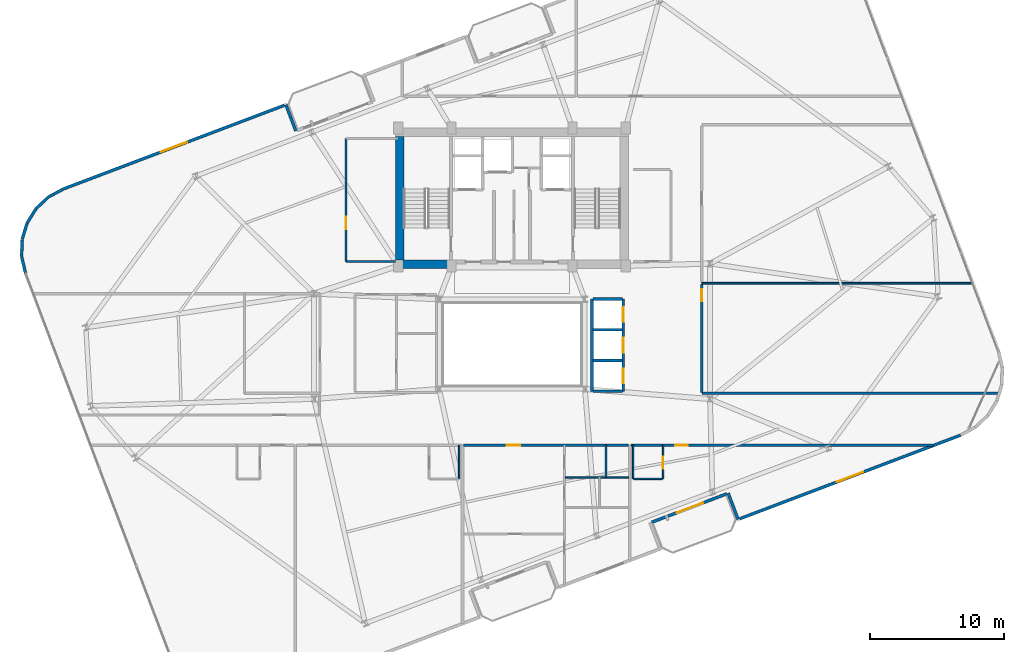
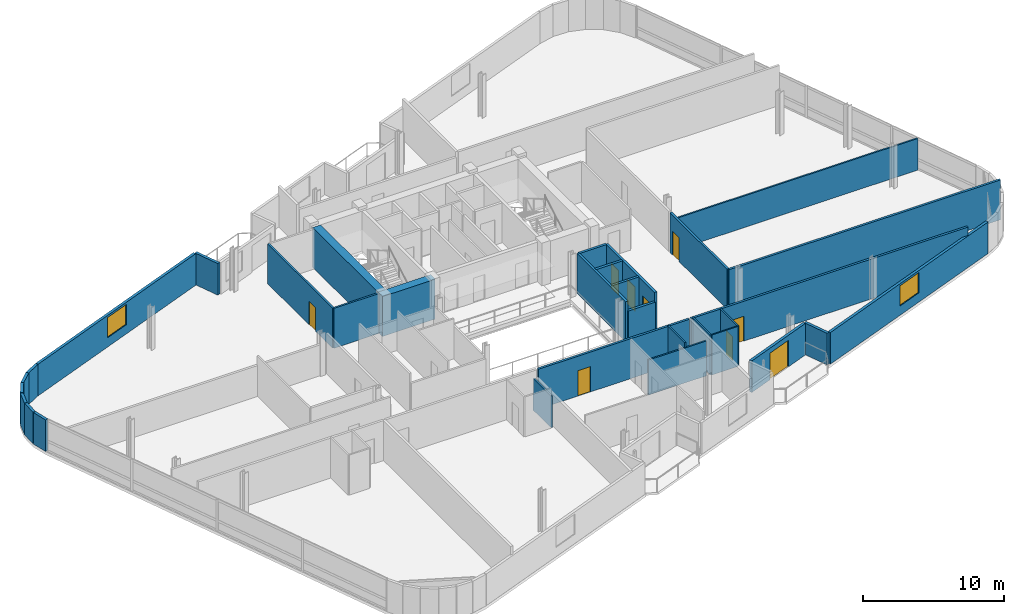
# One storey, part 19 of 23: 32 walls, 9 doors, 2 windows, 11 openings.
"""IFC4 building model written with IfcOpenShell, lengths in metres."""

import ifcopenshell
import ifcopenshell.guid

model = None  # the IFC model being written
_history = None  # IfcOwnerHistory: only IFC2X3 demands one
_inside = {}  # id of a spatial element -> (the spatial element, [elements in it])
_under = {}  # id of a project, library or spatial element -> (it, [spatial elements below it])
_declared = {}  # id of a project -> (the project, [libraries it declares])
_typed = {}  # id of a type object -> (the type object, [elements of that type])
_made_of = {}  # id of a material, layer set ... -> (it, [elements and type objects made of it])


def new_model(schema):
    """Start an empty IFC model of exactly this schema.

    Asked for "IFC4X3", IfcOpenShell would pick the latest addendum, in which some entities
    have other attributes; the version numbers below select the first issue.
    IFC2X3 requires an IfcOwnerHistory on every rooted entity: one is made here for all.
    """
    global model, _history
    if schema == "IFC4X3":
        model = ifcopenshell.file(schema_version=(4, 3, 0, 0))
    else:
        model = ifcopenshell.file(schema=schema)
    _inside.clear()
    _under.clear()
    _declared.clear()
    _typed.clear()
    _made_of.clear()
    _history = None
    if model.schema == "IFC2X3":
        org = make("IfcOrganization", Name="unknown")
        user = make(
            "IfcPersonAndOrganization",
            ThePerson=make("IfcPerson", FamilyName="unknown"),
            TheOrganization=org,
        )
        app = make(
            "IfcApplication",
            ApplicationDeveloper=org,
            Version="unknown",
            ApplicationFullName="unknown",
            ApplicationIdentifier="unknown",
        )
        _history = make(
            "IfcOwnerHistory",
            OwningUser=user,
            OwningApplication=app,
            ChangeAction="ADDED",
            CreationDate=0,
        )
    return model


def make(cls, **values):
    """One entity of the class cls with the attributes given. An attribute that is None is left unset."""
    return model.create_entity(
        cls, **{name: value for name, value in values.items() if value is not None}
    )


def rooted(cls, **values):
    """An entity with a GlobalId (a new one), such as an element, a storey or a relation."""
    return make(cls, GlobalId=ifcopenshell.guid.new(), OwnerHistory=_history, **values)


def si_unit(unit_type, name, prefix=None):
    """IfcSIUnit, for example si_unit("LENGTHUNIT", "METRE", prefix="MILLI")."""
    return make("IfcSIUnit", UnitType=unit_type, Prefix=prefix, Name=name)


def assignment(units):
    """IfcUnitAssignment: the units of a project."""
    return None if units is None else make("IfcUnitAssignment", Units=units)


def point(xyz):
    """IfcCartesianPoint."""
    return None if xyz is None else make("IfcCartesianPoint", Coordinates=xyz)


def direction(xyz):
    """IfcDirection."""
    return None if xyz is None else make("IfcDirection", DirectionRatios=xyz)


def frame(location, z_axis=None, x_axis=None):
    """IfcAxis2Placement3D, a coordinate frame: its origin and axes. An axis left out is left unset."""
    return make(
        "IfcAxis2Placement3D",
        Location=point(location),
        Axis=direction(z_axis),
        RefDirection=direction(x_axis),
    )


def frame_2d(location, x_axis=None):
    """IfcAxis2Placement2D, a coordinate frame in the plane: its origin and x axis."""
    return make(
        "IfcAxis2Placement2D", Location=point(location), RefDirection=direction(x_axis)
    )


def origin():
    """The frame at (0, 0, 0) with its axes left unset."""
    return frame((0.0, 0.0, 0.0))


def place(relative_to, where):
    """IfcLocalPlacement: puts the frame where relative to a parent placement (None: the world)."""
    return make(
        "IfcLocalPlacement", PlacementRelTo=relative_to, RelativePlacement=where
    )


def context(
    kind, dimensions, precision=None, world=None, true_north=None, identifier=None
):
    """IfcGeometricRepresentationContext, for example the 3D "Model" context."""
    return make(
        "IfcGeometricRepresentationContext",
        ContextIdentifier=identifier,
        ContextType=kind,
        CoordinateSpaceDimension=dimensions,
        Precision=precision,
        WorldCoordinateSystem=world,
        TrueNorth=true_north,
    )


def subcontext(parent, identifier, kind, view, scale=None):
    """IfcGeometricRepresentationSubContext, for example "Body" below "Model"."""
    return make(
        "IfcGeometricRepresentationSubContext",
        ContextIdentifier=identifier,
        ContextType=kind,
        ParentContext=parent,
        TargetScale=scale,
        TargetView=view,
    )


def project(units=None, contexts=None):
    """IfcProject with its units and contexts."""
    return rooted(
        "IfcProject",
        Name="project",
        RepresentationContexts=contexts,
        UnitsInContext=assignment(units),
    )


def spatial(cls, under=None, at=None, **own):
    """A site, building, storey or space (cls), placed at a placement, below another one or the project."""
    s = rooted(cls, ObjectPlacement=at, **own)
    if under is not None:
        _under.setdefault(under.id(), (under, []))[1].append(s)
    return s


def profile(cls, at=None, kind="AREA", **sizes):
    """A parametric profile (cls). Its sizes go by their IFC names, for example OverallWidth=200.0."""
    return make(cls, ProfileType=kind, Position=at, **sizes)


def rectangle(**sizes):
    """IfcRectangleProfileDef."""
    return profile("IfcRectangleProfileDef", **sizes)


def extrude(swept, where, along, depth):
    """IfcExtrudedAreaSolid: the profile swept, set in the frame where, extruded along a direction by depth."""
    return make(
        "IfcExtrudedAreaSolid",
        SweptArea=swept,
        Position=where,
        ExtrudedDirection=direction(along),
        Depth=depth,
    )


def shape(context_of_items, identifier, shape_type, items):
    """IfcShapeRepresentation: the items that make up one representation, for example the "Body"."""
    return make(
        "IfcShapeRepresentation",
        ContextOfItems=context_of_items,
        RepresentationIdentifier=identifier,
        RepresentationType=shape_type,
        Items=items,
    )


def material(Name=None, Category=None):
    """IfcMaterial."""
    return make("IfcMaterial", Name=Name, Category=Category)


def layer(
    of_material, thickness, ventilated=None, Name=None, Category=None, Priority=None
):
    """IfcMaterialLayer: one layer of a wall or slab, of a material (None: an air gap)."""
    return make(
        "IfcMaterialLayer",
        Material=of_material,
        LayerThickness=thickness,
        IsVentilated=ventilated,
        Name=Name,
        Category=Category,
        Priority=Priority,
    )


def layer_set(layers, Name=None):
    """IfcMaterialLayerSet."""
    return make("IfcMaterialLayerSet", MaterialLayers=layers, LayerSetName=Name)


def made_of(thing, what):
    """Note that an element or type object is made of a material, layer set ...; save() writes the relation."""
    if what is not None:
        _made_of.setdefault(what.id(), (what, []))[1].append(thing)
    return thing


def type_object(cls, material=None, **own):
    """A type object (cls), such as IfcWallType, which elements share."""
    return made_of(rooted(cls, **own), material)


def element(
    cls,
    number,
    at=None,
    inside=None,
    cuts=None,
    type_object=None,
    material=None,
    context=None,
    identifier="Body",
    shape_type=None,
    held_by="IfcProductDefinitionShape",
    body=None,
    shapes=None,
    **own,
):
    """One element of the class cls, such as IfcWall. Its Tag is "e" and its number.

    at: its placement. inside: the storey or other place that contains it. cuts: it is an
    opening in that element (IfcRelVoidsElement). A single representation is given by context,
    identifier, shape_type and body (its items); several are given by shapes. held_by: the class
    of the entity that holds the representations. save() writes the other relations.
    """
    e = rooted(cls, Tag="e%d" % number, ObjectPlacement=at, **own)
    if body is not None:
        shapes = [shape(context, identifier, shape_type, body)]
    if shapes is not None:
        e.Representation = make(held_by, Representations=shapes)
    if inside is not None:
        _inside.setdefault(inside.id(), (inside, []))[1].append(e)
    if cuts is not None:
        rooted(
            "IfcRelVoidsElement", RelatingBuildingElement=cuts, RelatedOpeningElement=e
        )
    if type_object is not None:
        _typed.setdefault(type_object.id(), (type_object, []))[1].append(e)
    return made_of(e, material)


def fill(opening, filler):
    """IfcRelFillsElement: the door or window that sits in an opening."""
    return rooted(
        "IfcRelFillsElement",
        RelatingOpeningElement=opening,
        RelatedBuildingElement=filler,
    )


def aggregate(whole, parts):
    """IfcRelAggregates: a whole, such as a stair, and the parts it consists of."""
    return rooted("IfcRelAggregates", RelatingObject=whole, RelatedObjects=parts)


def save(model, path):
    """Write the relations noted so far, then the file.

    IfcRelAggregates (storeys below a building ...), IfcRelContainedInSpatialStructure (elements
    in a storey), IfcRelDefinesByType, IfcRelAssociatesMaterial and IfcRelDeclares: one each for
    every whole, place, type object, material and project.
    """
    for whole, parts in _under.values():
        aggregate(whole, parts)
    for where, things in _inside.values():
        rooted(
            "IfcRelContainedInSpatialStructure",
            RelatedElements=things,
            RelatingStructure=where,
        )
    for kind, things in _typed.values():
        rooted("IfcRelDefinesByType", RelatedObjects=things, RelatingType=kind)
    for what, things in _made_of.values():
        rooted("IfcRelAssociatesMaterial", RelatedObjects=things, RelatingMaterial=what)
    for by, libraries in _declared.values():
        rooted("IfcRelDeclares", RelatingContext=by, RelatedDefinitions=libraries)
    model.write(path)


model = new_model("IFC4")

# Units and contexts
model_context = context("Model", 3, precision=1e-05, world=origin(), true_north=direction((0.0, 1.0)))
body_context = subcontext(model_context, "Body", "Model", "MODEL_VIEW")
ifc_project = project(units=[si_unit("LENGTHUNIT", "METRE"), si_unit("AREAUNIT", "SQUARE_METRE"), si_unit("VOLUMEUNIT", "CUBIC_METRE"), si_unit("PLANEANGLEUNIT", "RADIAN"), si_unit("MASSUNIT", "GRAM", prefix="KILO")], contexts=[model_context])

# Site, building, storey
site_placement = place(None, origin())
site = spatial("IfcSite", under=ifc_project, at=site_placement, CompositionType="ELEMENT")
building_placement = place(site_placement, origin())
building = spatial("IfcBuilding", under=site, at=building_placement, Name="Varnelok Gate Tower", CompositionType="ELEMENT")
storey_placement = place(building_placement, frame((0.0, 0.0, 227.5)))
storey = spatial("IfcBuildingStorey", under=building, at=storey_placement, Name="L58", CompositionType="ELEMENT", Elevation=227.5)

# Wall, opening, door
ifc_material_1 = material(Name="Concrete C45/55", Category="concrete")
ifc_layer_1 = layer(ifc_material_1, 0.219970703125)
ifc_layer_set_1 = layer_set([ifc_layer_1], Name="Concrete C45/55")
wall_type_1 = type_object("IfcWallType", Name="EW-BALC-220", PredefinedType="SOLIDWALL", material=ifc_layer_set_1)
wall_1_placement = place(storey_placement, frame((55.25048828125, 11.712646484375, 0.0), z_axis=(0.0, 0.0, 1.0), x_axis=(-0.935227640088, -0.354046976001, 0.0)))
wall_1 = element("IfcWall", 1, at=wall_1_placement, inside=storey, type_object=wall_type_1, Name="L58 South Terrace Envelope Wall 2", PredefinedType="SOLIDWALL", context=body_context, shape_type="SweptSolid", body=[
    extrude(rectangle(XDim=6.0, YDim=0.219970703125, at=frame_2d((3.0, 0.0))), origin(), (0.0, 0.0, 1.0), 2.72998046875),
])
opening_1_placement = place(wall_1_placement, frame((1.887939453125, 0.0, 0.0)))
opening_1 = element("IfcOpeningElement", 2, at=opening_1_placement, cuts=wall_1, Name="Opening BD-2", PredefinedType="OPENING", context=body_context, shape_type="SweptSolid", body=[
    extrude(rectangle(XDim=2.10009765625, YDim=2.300048828125, at=frame_2d((1.050048828125, 1.14990234375))), frame((0.0, 0.119873046875, 0.0), z_axis=(0.0, -1.0, 0.0), x_axis=(1.0, 0.0, 0.0)), (0.0, 0.0, 1.0), 0.239990234375),
])
ifc_material_2 = material(Name="Anodized Aluminum Alloy 6063-T6", Category="aluminium")
door_type_1 = type_object("IfcDoorType", Name="DR-EXT-SLID2100", OperationType="SLIDING_TO_LEFT", PredefinedType="DOOR", material=ifc_material_2)
door_1_placement = place(opening_1_placement, origin())
door_1 = element("IfcDoor", 3, at=door_1_placement, inside=storey, type_object=door_type_1, Name="L58 South Balcony Glazed Door 2", OperationType="SLIDING_TO_LEFT", OverallHeight=2.300048828125, OverallWidth=2.10009765625, PredefinedType="DOOR", context=body_context, shape_type="SweptSolid", body=[
    extrude(rectangle(XDim=2.10009765625, YDim=2.300048828125, at=frame_2d((1.050048828125, 1.14990234375))), frame((0.0, 0.02490234375, 0.0), z_axis=(0.0, -1.0, 0.0), x_axis=(1.0, 0.0, 0.0)), (0.0, 0.0, 1.0), 0.050048828125),
])
fill(opening_1, door_1)

# Wall
wall_2_placement = place(storey_placement, frame((55.359130859375, 11.764404296875, 0.0), z_axis=(0.0, 0.0, 1.0), x_axis=(0.354026782794, -0.935235284334, 0.0)))
element("IfcWall", 4, at=wall_2_placement, inside=storey, type_object=wall_type_1, Name="L58 Perimeter Facade Closure Wall 12", PredefinedType="SOLIDWALL", context=body_context, shape_type="SweptSolid", body=[
    extrude(rectangle(XDim=2.099853515625, YDim=0.219970703125, at=frame_2d((1.0498046875, 0.0))), origin(), (0.0, 0.0, 1.0), 2.72998046875),
])

# Wall, opening, window
wall_3_placement = place(storey_placement, frame((56.219482421875, 9.844970703125, 0.0), z_axis=(0.0, 0.0, 1.0), x_axis=(0.935225601791, 0.354052360188, 0.0)))
wall_3 = element("IfcWall", 5, at=wall_3_placement, inside=storey, type_object=wall_type_1, Name="L58 Perimeter Facade Closure Wall 13", PredefinedType="SOLIDWALL", context=body_context, shape_type="SweptSolid", body=[
    extrude(rectangle(XDim=17.647216796875, YDim=0.219970703125, at=frame_2d((8.82373046875, 0.0))), origin(), (0.0, 0.0, 1.0), 2.72998046875),
])
opening_2_placement = place(wall_3_placement, frame((7.773681640625, 0.0, 0.800048828125)))
opening_2 = element("IfcOpeningElement", 6, at=opening_2_placement, cuts=wall_3, Name="Opening WN4", PredefinedType="OPENING", context=body_context, shape_type="SweptSolid", body=[
    extrude(rectangle(XDim=2.10009765625, YDim=1.75, at=frame_2d((1.050048828125, 0.875))), frame((0.0, 0.119873046875, 0.0), z_axis=(0.0, -1.0, 0.0), x_axis=(1.0, 0.0, 0.0)), (0.0, 0.0, 1.0), 0.239990234375),
])
ifc_material_3 = material(Name="Low-E Laminated Double Glazing IGU", Category="glass")
window_type = type_object("IfcWindowType", Name="WN-SUI-2100", PartitioningType="SINGLE_PANEL", PredefinedType="WINDOW", material=ifc_material_3)
window_1_placement = place(opening_2_placement, origin())
window_1 = element("IfcWindow", 7, at=window_1_placement, inside=storey, type_object=window_type, Name="L58 Perimeter Vision Window 13", OverallHeight=1.75, OverallWidth=2.10009765625, PartitioningType="SINGLE_PANEL", PredefinedType="WINDOW", context=body_context, shape_type="SweptSolid", body=[
    extrude(rectangle(XDim=2.10009765625, YDim=1.75, at=frame_2d((1.050048828125, 0.875))), frame((0.0, 0.030029296875, 0.0), z_axis=(0.0, -1.0, 0.0), x_axis=(1.0, 0.0, 0.0)), (0.0, 0.0, 1.0), 0.06005859375),
])
fill(opening_2, window_1)

# Wall
wall_4_placement = place(storey_placement, frame((23.041015625, 38.83544921875, 0.0), z_axis=(0.0, 0.0, 1.0), x_axis=(-0.354128469405, 0.935196785258, 0.0)))
element("IfcWall", 8, at=wall_4_placement, inside=storey, type_object=wall_type_1, Name="L58 Perimeter Facade Closure Wall 31", PredefinedType="SOLIDWALL", context=body_context, shape_type="SweptSolid", body=[
    extrude(rectangle(XDim=2.099853515625, YDim=0.219970703125, at=frame_2d((1.0498046875, 0.0))), origin(), (0.0, 0.0, 1.0), 2.72998046875),
])

# Wall, opening, window
wall_5_placement = place(storey_placement, frame((22.180419921875, 40.755126953125, 0.0), z_axis=(0.0, 0.0, 1.0), x_axis=(-0.935223867561, -0.354056941104, 0.0)))
wall_5 = element("IfcWall", 9, at=wall_5_placement, inside=storey, type_object=wall_type_1, Name="L58 Perimeter Facade Closure Wall 32", PredefinedType="SOLIDWALL", context=body_context, shape_type="SweptSolid", body=[
    extrude(rectangle(XDim=17.64697265625, YDim=0.219970703125, at=frame_2d((8.823486328125, 0.0))), origin(), (0.0, 0.0, 1.0), 2.72998046875),
])
opening_3_placement = place(wall_5_placement, frame((7.773681640625, 0.0, 0.800048828125)))
opening_3 = element("IfcOpeningElement", 10, at=opening_3_placement, cuts=wall_5, Name="Opening WN4", PredefinedType="OPENING", context=body_context, shape_type="SweptSolid", body=[
    extrude(rectangle(XDim=2.10009765625, YDim=1.75, at=frame_2d((1.050048828125, 0.875))), frame((0.0, 0.119873046875, 0.0), z_axis=(0.0, -1.0, 0.0), x_axis=(1.0, 0.0, 0.0)), (0.0, 0.0, 1.0), 0.239990234375),
])
window_2_placement = place(opening_3_placement, origin())
window_2 = element("IfcWindow", 11, at=window_2_placement, inside=storey, type_object=window_type, Name="L58 Perimeter Vision Window 32", OverallHeight=1.75, OverallWidth=2.10009765625, PartitioningType="SINGLE_PANEL", PredefinedType="WINDOW", context=body_context, shape_type="SweptSolid", body=[
    extrude(rectangle(XDim=2.10009765625, YDim=1.75, at=frame_2d((1.050048828125, 0.875))), frame((0.0, 0.030029296875, 0.0), z_axis=(0.0, -1.0, 0.0), x_axis=(1.0, 0.0, 0.0)), (0.0, 0.0, 1.0), 0.06005859375),
])
fill(opening_3, window_2)

# Walls
wall_6_placement = place(storey_placement, frame((5.654296875, 34.4951171875, 0.0), z_axis=(0.0, 0.0, 1.0), x_axis=(-0.88098842986, -0.473137809155, 0.0)))
element("IfcWall", 12, at=wall_6_placement, inside=storey, type_object=wall_type_1, Name="L58 Perimeter Facade Closure Wall 33", PredefinedType="SOLIDWALL", context=body_context, shape_type="SweptSolid", body=[
    extrude(rectangle(XDim=1.25634765625, YDim=0.219970703125, at=frame_2d((0.628173828125, 0.0))), origin(), (0.0, 0.0, 1.0), 2.72998046875),
])
wall_7_placement = place(storey_placement, frame((4.529052734375, 33.883544921875, 0.0), z_axis=(0.0, 0.0, 1.0), x_axis=(-0.728475443486, -0.685071914647, 0.0)))
element("IfcWall", 13, at=wall_7_placement, inside=storey, type_object=wall_type_1, Name="L58 Perimeter Facade Closure Wall 34", PredefinedType="SOLIDWALL", context=body_context, shape_type="SweptSolid", body=[
    extrude(rectangle(XDim=1.248779296875, YDim=0.219970703125, at=frame_2d((0.62451171875, 0.0))), origin(), (0.0, 0.0, 1.0), 2.72998046875),
])
wall_8_placement = place(storey_placement, frame((3.606201171875, 33.0068359375, 0.0), z_axis=(0.0, 0.0, 1.0), x_axis=(-0.526408468713, -0.850231806078, 0.0)))
element("IfcWall", 14, at=wall_8_placement, inside=storey, type_object=wall_type_1, Name="L58 Perimeter Facade Closure Wall 35", PredefinedType="SOLIDWALL", context=body_context, shape_type="SweptSolid", body=[
    extrude(rectangle(XDim=1.24853515625, YDim=0.219970703125, at=frame_2d((0.624267578125, 0.0))), origin(), (0.0, 0.0, 1.0), 2.72998046875),
])
wall_9_placement = place(storey_placement, frame((2.941650390625, 31.92138671875, 0.0), z_axis=(0.0, 0.0, 1.0), x_axis=(-0.288352095019, -0.957524448408, 0.0)))
element("IfcWall", 15, at=wall_9_placement, inside=storey, type_object=wall_type_1, Name="L58 Perimeter Facade Closure Wall 36", PredefinedType="SOLIDWALL", context=body_context, shape_type="SweptSolid", body=[
    extrude(rectangle(XDim=1.248779296875, YDim=0.219970703125, at=frame_2d((0.62451171875, 0.0))), origin(), (0.0, 0.0, 1.0), 2.72998046875),
])
wall_10_placement = place(storey_placement, frame((2.580810546875, 30.70068359375, 0.0), z_axis=(0.0, 0.0, 1.0), x_axis=(-0.030697576053, -0.999528718359, 0.0)))
element("IfcWall", 16, at=wall_10_placement, inside=storey, type_object=wall_type_1, Name="L58 Perimeter Facade Closure Wall 37", PredefinedType="SOLIDWALL", context=body_context, shape_type="SweptSolid", body=[
    extrude(rectangle(XDim=1.24853515625, YDim=0.219970703125, at=frame_2d((0.624267578125, 0.0))), origin(), (0.0, 0.0, 1.0), 2.72998046875),
])
wall_11_placement = place(storey_placement, frame((2.548095703125, 29.428466796875, 0.0), z_axis=(0.0, 0.0, 1.0), x_axis=(0.228941257463, -0.973440239887, 0.0)))
element("IfcWall", 17, at=wall_11_placement, inside=storey, type_object=wall_type_1, Name="L58 Perimeter Facade Closure Wall 38", PredefinedType="SOLIDWALL", context=body_context, shape_type="SweptSolid", body=[
    extrude(rectangle(XDim=1.248779296875, YDim=0.219970703125, at=frame_2d((0.62451171875, 0.0))), origin(), (0.0, 0.0, 1.0), 2.72998046875),
])

# Wall, opening, door
ifc_material_4 = material(Name="Gypsum Plasterboard Acoustic Partition", Category="gypsum")
ifc_layer_2 = layer(ifc_material_4, 0.179931640625)
ifc_layer_set_2 = layer_set([ifc_layer_2], Name="Gypsum Plasterboard Acoustic Partition")
wall_type_2 = type_object("IfcWallType", Name="PW-CORR-180", PredefinedType="PARTITIONING", material=ifc_layer_set_2)
wall_12_placement = place(storey_placement, frame((35.580078125, 15.35009765625, 0.0), z_axis=(0.0, 0.0, 1.0), x_axis=(1.0, 0.0, 0.0)))
wall_12 = element("IfcWall", 18, at=wall_12_placement, inside=storey, type_object=wall_type_2, Name="Interior Partition", PredefinedType="PARTITIONING", context=body_context, shape_type="SweptSolid", body=[
    extrude(rectangle(XDim=12.33984375, YDim=0.179931640625, at=frame_2d((6.169921875, 0.0))), origin(), (0.0, 0.0, 1.0), 3.449951171875),
])
opening_4_placement = place(wall_12_placement, frame((3.235107421875, 0.0, 0.0)))
opening_4 = element("IfcOpeningElement", 19, at=opening_4_placement, cuts=wall_12, Name="Opening D-AP", PredefinedType="OPENING", context=body_context, shape_type="SweptSolid", body=[
    extrude(rectangle(XDim=1.0, YDim=2.199951171875, at=frame_2d((0.5, 1.10009765625))), frame((0.0, 0.099853515625, 0.0), z_axis=(0.0, -1.0, 0.0), x_axis=(1.0, 0.0, 0.0)), (0.0, 0.0, 1.0), 0.199951171875),
])
ifc_material_5 = material(Name="Engineered Hardwood Timber", Category="wood")
door_type_2 = type_object("IfcDoorType", Name="DR-APT-1000", OperationType="NOTDEFINED", PredefinedType="DOOR", material=ifc_material_5)
door_2_placement = place(opening_4_placement, origin())
door_2 = element("IfcDoor", 20, at=door_2_placement, inside=storey, type_object=door_type_2, Name="L58 Apartment 3 Entrance Door", OperationType="SINGLE_SWING_RIGHT", OverallHeight=2.199951171875, OverallWidth=1.0, PredefinedType="DOOR", context=body_context, shape_type="SweptSolid", body=[
    extrude(rectangle(XDim=1.0, YDim=2.199951171875, at=frame_2d((0.5, 1.10009765625))), frame((0.0, 0.02490234375, 0.0), z_axis=(0.0, -1.0, 0.0), x_axis=(1.0, 0.0, 0.0)), (0.0, 0.0, 1.0), 0.050048828125),
])
fill(opening_4, door_2)

wall_13_placement = place(storey_placement, frame((48.080078125, 15.35009765625, 0.0), z_axis=(0.0, 0.0, 1.0), x_axis=(1.0, 0.0, 0.0)))
wall_13 = element("IfcWall", 21, at=wall_13_placement, inside=storey, type_object=wall_type_2, Name="Interior Partition", PredefinedType="PARTITIONING", context=body_context, shape_type="SweptSolid", body=[
    extrude(rectangle(XDim=22.624267578125, YDim=0.179931640625, at=frame_2d((11.31201171875, 0.0))), origin(), (0.0, 0.0, 1.0), 3.449951171875),
])
opening_5_placement = place(wall_13_placement, frame((3.324462890625, 0.0, 0.0)))
opening_5 = element("IfcOpeningElement", 22, at=opening_5_placement, cuts=wall_13, Name="Opening D-HT", PredefinedType="OPENING", context=body_context, shape_type="SweptSolid", body=[
    extrude(rectangle(XDim=0.949951171875, YDim=2.14990234375, at=frame_2d((0.47509765625, 1.074951171875))), frame((0.0, 0.099853515625, 0.0), z_axis=(0.0, -1.0, 0.0), x_axis=(1.0, 0.0, 0.0)), (0.0, 0.0, 1.0), 0.199951171875),
])
door_type_3 = type_object("IfcDoorType", Name="DR-HTL-950", OperationType="NOTDEFINED", PredefinedType="DOOR", material=ifc_material_5)
door_3_placement = place(opening_5_placement, origin())
door_3 = element("IfcDoor", 23, at=door_3_placement, inside=storey, type_object=door_type_3, Name="L58 Guest Room 04 Entrance Door", OperationType="SINGLE_SWING_LEFT", OverallHeight=2.14990234375, OverallWidth=0.949951171875, PredefinedType="DOOR", context=body_context, shape_type="SweptSolid", body=[
    extrude(rectangle(XDim=0.949951171875, YDim=2.14990234375, at=frame_2d((0.47509765625, 1.074951171875))), frame((0.0, 0.02490234375, 0.0), z_axis=(0.0, -1.0, 0.0), x_axis=(1.0, 0.0, 0.0)), (0.0, 0.0, 1.0), 0.050048828125),
])
fill(opening_5, door_3)

wall_14_placement = place(storey_placement, frame((53.389892578125, 19.300048828125, 0.0), z_axis=(0.0, 0.0, 1.0), x_axis=(0.0, 1.0, 0.0)))
wall_14 = element("IfcWall", 24, at=wall_14_placement, inside=storey, type_object=wall_type_2, Name="Interior Partition", PredefinedType="PARTITIONING", context=body_context, shape_type="SweptSolid", body=[
    extrude(rectangle(XDim=8.070068359375, YDim=0.179931640625, at=frame_2d((4.03515625, 0.0))), origin(), (0.0, 0.0, 1.0), 3.449951171875),
])
opening_6_placement = place(wall_14_placement, frame((6.800048828125, 0.0, 0.0)))
opening_6 = element("IfcOpeningElement", 25, at=opening_6_placement, cuts=wall_14, Name="Opening D-I3", PredefinedType="OPENING", context=body_context, shape_type="SweptSolid", body=[
    extrude(rectangle(XDim=0.919921875, YDim=2.050048828125, at=frame_2d((0.4599609375, 1.02490234375))), frame((0.0, 0.099853515625, 0.0), z_axis=(0.0, -1.0, 0.0), x_axis=(1.0, 0.0, 0.0)), (0.0, 0.0, 1.0), 0.199951171875),
])
door_type_4 = type_object("IfcDoorType", Name="DR-INT-920", OperationType="NOTDEFINED", PredefinedType="DOOR", material=ifc_material_5)
door_4_placement = place(opening_6_placement, origin())
door_4 = element("IfcDoor", 26, at=door_4_placement, inside=storey, type_object=door_type_4, Name="L58 East Suite 1 Door", OperationType="SINGLE_SWING_LEFT", OverallHeight=2.050048828125, OverallWidth=0.919921875, PredefinedType="DOOR", context=body_context, shape_type="SweptSolid", body=[
    extrude(rectangle(XDim=0.919921875, YDim=2.050048828125, at=frame_2d((0.4599609375, 1.02490234375))), frame((0.0, 0.02490234375, 0.0), z_axis=(0.0, -1.0, 0.0), x_axis=(1.0, 0.0, 0.0)), (0.0, 0.0, 1.0), 0.050048828125),
])
fill(opening_6, door_4)

# Walls
wall_15_placement = place(storey_placement, frame((53.389892578125, 19.239990234375, 0.0), z_axis=(0.0, 0.0, 1.0), x_axis=(1.0, 0.0, 0.0)))
element("IfcWall", 27, at=wall_15_placement, inside=storey, type_object=wall_type_2, Name="Interior Partition", PredefinedType="PARTITIONING", context=body_context, shape_type="SweptSolid", body=[
    extrude(rectangle(XDim=22.216552734375, YDim=0.179931640625, at=frame_2d((11.1083984375, 0.0))), origin(), (0.0, 0.0, 1.0), 3.449951171875),
])
ifc_layer_3 = layer(ifc_material_4, 0.114990234375)
ifc_layer_set_3 = layer_set([ifc_layer_3], Name="Gypsum Plasterboard Acoustic Partition")
wall_type_3 = type_object("IfcWallType", Name="PW-ENS-125", PredefinedType="PARTITIONING", material=ifc_layer_set_3)
wall_16_placement = place(storey_placement, frame((35.239990234375, 12.830078125, 0.0), z_axis=(0.0, 0.0, 1.0), x_axis=(0.0, 1.0, 0.0)))
element("IfcWall", 28, at=wall_16_placement, inside=storey, type_object=wall_type_3, Name="Interior Partition", PredefinedType="PARTITIONING", context=body_context, shape_type="SweptSolid", body=[
    extrude(rectangle(XDim=2.52001953125, YDim=0.114990234375, at=frame_2d((1.260009765625, 0.0))), origin(), (0.0, 0.0, 1.0), 2.739013671875),
])
wall_17_placement = place(storey_placement, frame((48.300048828125, 12.830078125, 0.0), z_axis=(0.0, 0.0, 1.0), x_axis=(1.0, 0.0, 0.0)))
element("IfcWall", 29, at=wall_17_placement, inside=storey, type_object=wall_type_3, Name="Interior Partition", PredefinedType="PARTITIONING", context=body_context, shape_type="SweptSolid", body=[
    extrude(rectangle(XDim=2.14990234375, YDim=0.114990234375, at=frame_2d((1.074951171875, 0.0))), origin(), (0.0, 0.0, 1.0), 3.449951171875),
])

# Wall, opening, door
wall_18_placement = place(storey_placement, frame((50.489990234375, 12.830078125, 0.0), z_axis=(0.0, 0.0, 1.0), x_axis=(0.0, 1.0, 0.0)))
wall_18 = element("IfcWall", 30, at=wall_18_placement, inside=storey, type_object=wall_type_3, Name="Interior Partition", PredefinedType="PARTITIONING", context=body_context, shape_type="SweptSolid", body=[
    extrude(rectangle(XDim=2.52001953125, YDim=0.114990234375, at=frame_2d((1.260009765625, 0.0))), origin(), (0.0, 0.0, 1.0), 3.449951171875),
])
opening_7_placement = place(wall_18_placement, frame((0.760009765625, 0.0, 0.0)))
opening_7 = element("IfcOpeningElement", 31, at=opening_7_placement, cuts=wall_18, Name="Opening D-WC", PredefinedType="OPENING", context=body_context, shape_type="SweptSolid", body=[
    extrude(rectangle(XDim=0.89990234375, YDim=2.050048828125, at=frame_2d((0.449951171875, 1.02490234375))), frame((0.0, 0.0673828125, 0.0), z_axis=(0.0, -1.0, 0.0), x_axis=(1.0, 0.0, 0.0)), (0.0, 0.0, 1.0), 0.135009765625),
])
door_type_5 = type_object("IfcDoorType", Name="DR-BATH-900", OperationType="NOTDEFINED", PredefinedType="DOOR", material=ifc_material_5)
door_5_placement = place(opening_7_placement, origin())
door_5 = element("IfcDoor", 32, at=door_5_placement, inside=storey, type_object=door_type_5, Name="L58 Guest En-Suite 04 Door", OperationType="SINGLE_SWING_LEFT", OverallHeight=2.050048828125, OverallWidth=0.89990234375, PredefinedType="DOOR", context=body_context, shape_type="SweptSolid", body=[
    extrude(rectangle(XDim=0.89990234375, YDim=2.050048828125, at=frame_2d((0.449951171875, 1.02490234375))), frame((0.0, 0.02490234375, 0.0), z_axis=(0.0, -1.0, 0.0), x_axis=(1.0, 0.0, 0.0)), (0.0, 0.0, 1.0), 0.050048828125),
])
fill(opening_7, door_5)

# Walls
wall_19_placement = place(storey_placement, frame((48.260009765625, 12.830078125, 0.0), z_axis=(0.0, 0.0, 1.0), x_axis=(0.0, 1.0, 0.0)))
element("IfcWall", 33, at=wall_19_placement, inside=storey, type_object=wall_type_3, Name="Interior Partition", PredefinedType="PARTITIONING", context=body_context, shape_type="SweptSolid", body=[
    extrude(rectangle(XDim=2.52001953125, YDim=0.114990234375, at=frame_2d((1.260009765625, 0.0))), origin(), (0.0, 0.0, 1.0), 3.449951171875),
])
ifc_layer_4 = layer(ifc_material_4, 0.125)
ifc_layer_set_4 = layer_set([ifc_layer_4], Name="Gypsum Plasterboard Acoustic Partition")
wall_type_4 = type_object("IfcWallType", Name="PW-PART-125", PredefinedType="PARTITIONING", material=ifc_layer_set_4)
wall_20_placement = place(storey_placement, frame((43.18994140625, 12.93994140625, 0.0), z_axis=(0.0, 0.0, 1.0), x_axis=(1.0, 0.0, 0.0)))
element("IfcWall", 34, at=wall_20_placement, inside=storey, type_object=wall_type_4, Name="Interior Partition", PredefinedType="PARTITIONING", context=body_context, shape_type="SweptSolid", body=[
    extrude(rectangle(XDim=4.72998046875, YDim=0.125, at=frame_2d((2.364990234375, 0.0))), origin(), (0.0, 0.0, 1.0), 3.01806640625),
])
wall_21_placement = place(storey_placement, frame((46.22998046875, 12.93994140625, 0.0), z_axis=(0.0, 0.0, 1.0), x_axis=(0.0, 1.0, 0.0)))
element("IfcWall", 35, at=wall_21_placement, inside=storey, type_object=wall_type_4, Name="Interior Partition", PredefinedType="PARTITIONING", context=body_context, shape_type="SweptSolid", body=[
    extrude(rectangle(XDim=2.41015625, YDim=0.125, at=frame_2d((1.205078125, 0.0))), origin(), (0.0, 0.0, 1.0), 3.449951171875),
])
wall_22_placement = place(storey_placement, frame((53.389892578125, 27.449951171875, 0.0), z_axis=(0.0, 0.0, 1.0), x_axis=(1.0, 0.0, 0.0)))
element("IfcWall", 36, at=wall_22_placement, inside=storey, type_object=wall_type_4, Name="Interior Partition", PredefinedType="PARTITIONING", context=body_context, shape_type="SweptSolid", body=[
    extrude(rectangle(XDim=20.19921875, YDim=0.125, at=frame_2d((10.099609375, 0.0))), origin(), (0.0, 0.0, 1.0), 2.739013671875),
])
ifc_layer_5 = layer(ifc_material_4, 0.14990234375)
ifc_layer_set_5 = layer_set([ifc_layer_5], Name="Gypsum Plasterboard Acoustic Partition")
wall_type_5 = type_object("IfcWallType", Name="PW-PART-150", PredefinedType="PARTITIONING", material=ifc_layer_set_5)
wall_23_placement = place(storey_placement, frame((26.780029296875, 29.080078125, 0.0), z_axis=(0.0, 0.0, 1.0), x_axis=(1.0, 0.0, 0.0)))
element("IfcWall", 37, at=wall_23_placement, inside=storey, type_object=wall_type_5, Name="Interior Partition", PredefinedType="PARTITIONING", context=body_context, shape_type="SweptSolid", body=[
    extrude(rectangle(XDim=3.699951171875, YDim=0.14990234375, at=frame_2d((1.85009765625, 0.0))), origin(), (0.0, 0.0, 1.0), 3.449951171875),
])

# Wall, opening, door
wall_24_placement = place(storey_placement, frame((26.780029296875, 29.080078125, 0.0), z_axis=(0.0, 0.0, 1.0), x_axis=(0.0, 1.0, 0.0)))
wall_24 = element("IfcWall", 38, at=wall_24_placement, inside=storey, type_object=wall_type_5, Name="Interior Partition", PredefinedType="PARTITIONING", context=body_context, shape_type="SweptSolid", body=[
    extrude(rectangle(XDim=9.179931640625, YDim=0.14990234375, at=frame_2d((4.58984375, 0.0))), origin(), (0.0, 0.0, 1.0), 3.449951171875),
])
opening_8_placement = place(wall_24_placement, frame((2.39990234375, 0.0, 0.0)))
opening_8 = element("IfcOpeningElement", 39, at=opening_8_placement, cuts=wall_24, Name="Opening D-I2", PredefinedType="OPENING", context=body_context, shape_type="SweptSolid", body=[
    extrude(rectangle(XDim=0.949951171875, YDim=2.050048828125, at=frame_2d((0.47509765625, 1.02490234375))), frame((0.0, 0.0849609375, 0.0), z_axis=(0.0, -1.0, 0.0), x_axis=(1.0, 0.0, 0.0)), (0.0, 0.0, 1.0), 0.169921875),
])
door_type_6 = type_object("IfcDoorType", Name="DR-INT-950", OperationType="NOTDEFINED", PredefinedType="DOOR", material=ifc_material_5)
door_6_placement = place(opening_8_placement, origin())
door_6 = element("IfcDoor", 40, at=door_6_placement, inside=storey, type_object=door_type_6, Name="L58 Reclaimed Housekeeping Door", OperationType="SINGLE_SWING_RIGHT", OverallHeight=2.050048828125, OverallWidth=0.949951171875, PredefinedType="DOOR", context=body_context, shape_type="SweptSolid", body=[
    extrude(rectangle(XDim=0.949951171875, YDim=2.050048828125, at=frame_2d((0.47509765625, 1.02490234375))), frame((0.0, 0.02490234375, 0.0), z_axis=(0.0, -1.0, 0.0), x_axis=(1.0, 0.0, 0.0)), (0.0, 0.0, 1.0), 0.050048828125),
])
fill(opening_8, door_6)

# Walls
ifc_material_6 = material(Name="Concrete C35/45", Category="concrete")
ifc_layer_6 = layer(ifc_material_6, 0.199951171875)
ifc_layer_set_6 = layer_set([ifc_layer_6], Name="Concrete C35/45")
wall_type_6 = type_object("IfcWallType", Name="PW-SHAFT-200", PredefinedType="PARTITIONING", material=ifc_layer_set_6)
for number, where, z_axis, x_axis, name in (
    (41, (45.239990234375, 21.675048828125, 0.0), (0.0, 0.0, 1.0), (1.0, 0.0, 0.0), "L58 PH1 Divider"),
    (42, (45.239990234375, 23.97509765625, 0.0), (0.0, 0.0, 1.0), (1.0, 0.0, 0.0), "L58 PH2 Divider"),
):
    element("IfcWall", number, at=place(storey_placement, frame(where, z_axis=z_axis, x_axis=x_axis)), inside=storey, type_object=wall_type_6, Name=name, PredefinedType="PARTITIONING", context=body_context, shape_type="SweptSolid", body=[
        extrude(rectangle(XDim=2.219970703125, YDim=0.199951171875, at=frame_2d((1.10986328125, 0.0))), origin(), (0.0, 0.0, 1.0), 3.449951171875),
    ])
wall_25_placement = place(storey_placement, frame((45.239990234375, 19.3798828125, 0.0), z_axis=(0.0, 0.0, 1.0), x_axis=(1.0, 0.0, 0.0)))
element("IfcWall", 43, at=wall_25_placement, inside=storey, type_object=wall_type_6, Name="L58 PH Bank South Wall", PredefinedType="PARTITIONING", context=body_context, shape_type="SweptSolid", body=[
    extrude(rectangle(XDim=2.219970703125, YDim=0.199951171875, at=frame_2d((1.10986328125, 0.0))), origin(), (0.0, 0.0, 1.0), 2.662109375),
])
wall_26_placement = place(storey_placement, frame((45.239990234375, 26.280029296875, 0.0), z_axis=(0.0, 0.0, 1.0), x_axis=(1.0, 0.0, 0.0)))
element("IfcWall", 44, at=wall_26_placement, inside=storey, type_object=wall_type_6, Name="L58 PH Bank North Wall", PredefinedType="PARTITIONING", context=body_context, shape_type="SweptSolid", body=[
    extrude(rectangle(XDim=2.219970703125, YDim=0.199951171875, at=frame_2d((1.10986328125, 0.0))), origin(), (0.0, 0.0, 1.0), 3.449951171875),
])
wall_27_placement = place(storey_placement, frame((45.179931640625, 19.3798828125, 0.0), z_axis=(0.0, 0.0, 1.0), x_axis=(0.0, 1.0, 0.0)))
element("IfcWall", 45, at=wall_27_placement, inside=storey, type_object=wall_type_6, Name="L58 PH Bank Atrium Wall", PredefinedType="PARTITIONING", context=body_context, shape_type="SweptSolid", body=[
    extrude(rectangle(XDim=6.900146484375, YDim=0.199951171875, at=frame_2d((3.4501953125, 0.0))), origin(), (0.0, 0.0, 1.0), 3.449951171875),
])

# Wall, openings, doors
wall_28_placement = place(storey_placement, frame((47.52001953125, 19.3798828125, 0.0), z_axis=(0.0, 0.0, 1.0), x_axis=(0.0, 1.0, 0.0)))
wall_28 = element("IfcWall", 46, at=wall_28_placement, inside=storey, type_object=wall_type_6, Name="L58 PH Bank Front Wall", PredefinedType="PARTITIONING", context=body_context, shape_type="SweptSolid", body=[
    extrude(rectangle(XDim=6.900146484375, YDim=0.199951171875, at=frame_2d((3.4501953125, 0.0))), origin(), (0.0, 0.0, 1.0), 3.449951171875),
])
opening_9_placement = place(wall_28_placement, frame((0.590087890625, 0.0, 0.0)))
opening_9 = element("IfcOpeningElement", 47, at=opening_9_placement, cuts=wall_28, Name="Opening LD-PH1", PredefinedType="OPENING", context=body_context, shape_type="SweptSolid", body=[
    extrude(rectangle(XDim=1.10009765625, YDim=2.14990234375, at=frame_2d((0.550048828125, 1.074951171875))), frame((0.0, 0.10986328125, 0.0), z_axis=(0.0, -1.0, 0.0), x_axis=(1.0, 0.0, 0.0)), (0.0, 0.0, 1.0), 0.219970703125),
])
opening_10_placement = place(wall_28_placement, frame((2.889892578125, 0.0, 0.0)))
opening_10 = element("IfcOpeningElement", 48, at=opening_10_placement, cuts=wall_28, Name="Opening LD-PH2", PredefinedType="OPENING", context=body_context, shape_type="SweptSolid", body=[
    extrude(rectangle(XDim=1.10009765625, YDim=2.14990234375, at=frame_2d((0.550048828125, 1.074951171875))), frame((0.0, 0.10986328125, 0.0), z_axis=(0.0, -1.0, 0.0), x_axis=(1.0, 0.0, 0.0)), (0.0, 0.0, 1.0), 0.219970703125),
])
opening_11_placement = place(wall_28_placement, frame((5.18994140625, 0.0, 0.0)))
opening_11 = element("IfcOpeningElement", 49, at=opening_11_placement, cuts=wall_28, Name="Opening LD-PH3", PredefinedType="OPENING", context=body_context, shape_type="SweptSolid", body=[
    extrude(rectangle(XDim=1.10009765625, YDim=2.14990234375, at=frame_2d((0.550048828125, 1.074951171875))), frame((0.0, 0.10986328125, 0.0), z_axis=(0.0, -1.0, 0.0), x_axis=(1.0, 0.0, 0.0)), (0.0, 0.0, 1.0), 0.219970703125),
])
ifc_material_7 = material(Name="Galvanized Steel Grade S350GD", Category="steel")
door_type_7 = type_object("IfcDoorType", Name="DR-LIFT-PAX1100", OperationType="SLIDING_TO_LEFT", PredefinedType="DOOR", material=ifc_material_7)
door_7_placement = place(opening_9_placement, origin())
door_7 = element("IfcDoor", 50, at=door_7_placement, inside=storey, type_object=door_type_7, Name="L58 Passenger Lift Landing Door LD-PH1", OperationType="SLIDING_TO_LEFT", OverallHeight=2.14990234375, OverallWidth=1.10009765625, PredefinedType="DOOR", context=body_context, shape_type="SweptSolid", body=[
    extrude(rectangle(XDim=1.10009765625, YDim=2.14990234375, at=frame_2d((0.550048828125, 1.074951171875))), frame((0.0, 0.02490234375, 0.0), z_axis=(0.0, -1.0, 0.0), x_axis=(1.0, 0.0, 0.0)), (0.0, 0.0, 1.0), 0.050048828125),
])
fill(opening_9, door_7)
door_8_placement = place(opening_10_placement, origin())
door_8 = element("IfcDoor", 51, at=door_8_placement, inside=storey, type_object=door_type_7, Name="L58 Passenger Lift Landing Door LD-PH2", OperationType="SLIDING_TO_LEFT", OverallHeight=2.14990234375, OverallWidth=1.10009765625, PredefinedType="DOOR", context=body_context, shape_type="SweptSolid", body=[
    extrude(rectangle(XDim=1.10009765625, YDim=2.14990234375, at=frame_2d((0.550048828125, 1.074951171875))), frame((0.0, 0.02490234375, 0.0), z_axis=(0.0, -1.0, 0.0), x_axis=(1.0, 0.0, 0.0)), (0.0, 0.0, 1.0), 0.050048828125),
])
fill(opening_10, door_8)
door_9_placement = place(opening_11_placement, origin())
door_9 = element("IfcDoor", 52, at=door_9_placement, inside=storey, type_object=door_type_7, Name="L58 Passenger Lift Landing Door LD-PH3", OperationType="SLIDING_TO_LEFT", OverallHeight=2.14990234375, OverallWidth=1.10009765625, PredefinedType="DOOR", context=body_context, shape_type="SweptSolid", body=[
    extrude(rectangle(XDim=1.10009765625, YDim=2.14990234375, at=frame_2d((0.550048828125, 1.074951171875))), frame((0.0, 0.02490234375, 0.0), z_axis=(0.0, -1.0, 0.0), x_axis=(1.0, 0.0, 0.0)), (0.0, 0.0, 1.0), 0.050048828125),
])
fill(opening_11, door_9)

# Walls
ifc_material_8 = material(Name="Concrete C60/75", Category="concrete")
ifc_layer_7 = layer(ifc_material_8, 0.64990234375)
ifc_layer_set_7 = layer_set([ifc_layer_7], Name="Concrete C60/75")
wall_type_7 = type_object("IfcWallType", Name="SW-CORE-650", PredefinedType="SHEAR", material=ifc_layer_set_7)
wall_29_placement = place(storey_placement, frame((30.804931640625, 29.199951171875, 0.0), z_axis=(0.0, 0.0, 1.0), x_axis=(0.0, 1.0, 0.0)))
element("IfcWall", 53, at=wall_29_placement, inside=storey, type_object=wall_type_7, Name="L58 Rear Core West Shear Wall", PredefinedType="SHEAR", context=body_context, shape_type="SweptSolid", body=[
    extrude(rectangle(XDim=9.219970703125, YDim=0.64990234375, at=frame_2d((4.60986328125, 0.0))), origin(), (0.0, 0.0, 1.0), 3.449951171875),
])
wall_30_placement = place(storey_placement, frame((30.47998046875, 28.875, 0.0), z_axis=(0.0, 0.0, 1.0), x_axis=(1.0, 0.0, 0.0)))
element("IfcWall", 54, at=wall_30_placement, inside=storey, type_object=wall_type_7, Name="L58 Rear Core South-West Shear Wall", PredefinedType="SHEAR", context=body_context, shape_type="SweptSolid", body=[
    extrude(rectangle(XDim=4.320068359375, YDim=0.64990234375, at=frame_2d((2.16015625, 0.0))), origin(), (0.0, 0.0, 1.0), 3.449951171875),
])

save(model, "model.ifc")
